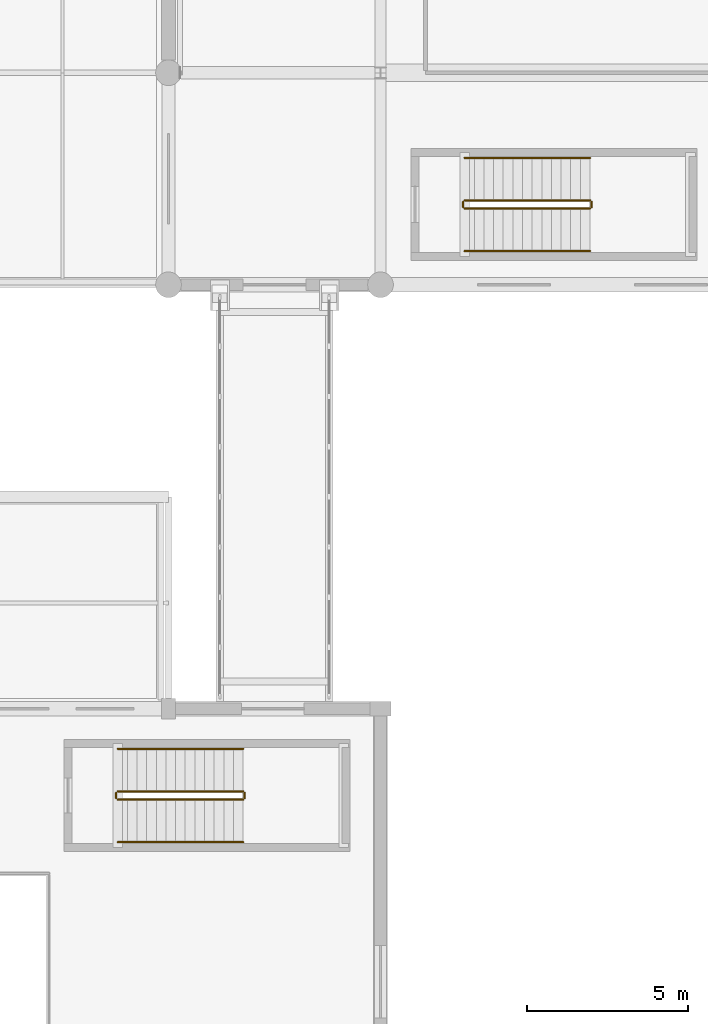
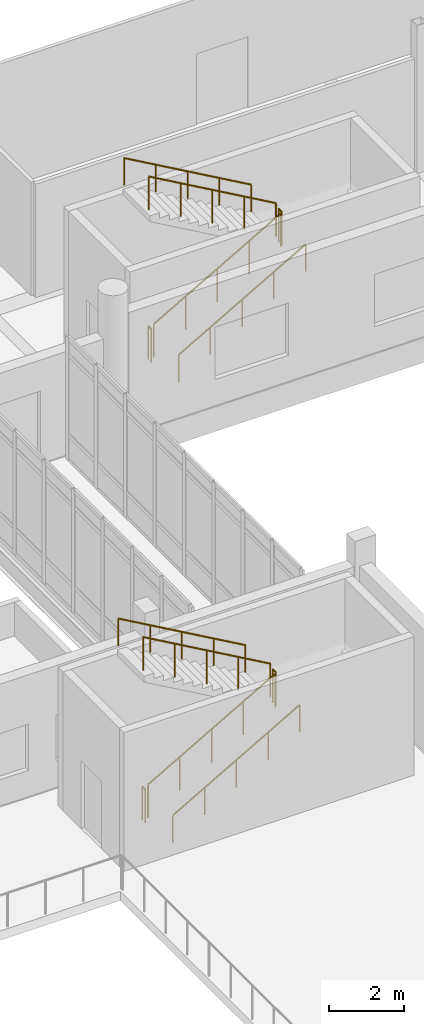
# One storey, part 104 of 125: 12 railings.
"""IFC4 building model written with IfcOpenShell, lengths in metres."""

from ifc_helpers import new_model, si_unit, direction, frame, origin, origin_2d, place, context, subcontext, project, spatial, circle, extrude, material, layer, layer_set, type_object, element, save


model = new_model("IFC4")

# Units and contexts
model_context = context("Model", 3, precision=1e-05, world=origin(), true_north=direction((0.0, 1.0)))
body_context = subcontext(model_context, "Body", "Model", "MODEL_VIEW")
ifc_project = project(units=[si_unit("LENGTHUNIT", "METRE"), si_unit("AREAUNIT", "SQUARE_METRE"), si_unit("VOLUMEUNIT", "CUBIC_METRE"), si_unit("PLANEANGLEUNIT", "RADIAN"), si_unit("MASSUNIT", "GRAM", prefix="KILO")], contexts=[model_context])

# Site, building, storey
site_placement = place(None, origin())
site = spatial("IfcSite", under=ifc_project, at=site_placement, CompositionType="ELEMENT")
building_placement = place(site_placement, origin())
building = spatial("IfcBuilding", under=site, at=building_placement, Name="Dornvale Research Institute", CompositionType="ELEMENT")
storey_placement = place(building_placement, frame((0.0, 0.0, 5.39990234375)))
storey = spatial("IfcBuildingStorey", under=building, at=storey_placement, Name="L01", CompositionType="ELEMENT", Elevation=5.39990234375)

# Railings
ifc_material_1 = material(Name="Galvanized Painted Tubular Steel Stair Rail", Category="steel")
ifc_layer_1 = layer(ifc_material_1, 0.050048828125)
ifc_layer_set_1 = layer_set([ifc_layer_1], Name="Galvanized Painted Tubular Steel Stair Rail")
railing_type_1 = type_object("IfcRailingType", Name="Railing_Stair_Guard_1100", PredefinedType="GUARDRAIL", material=ifc_layer_set_1)
railing_1_placement = place(storey_placement, frame((48.820068359375, 41.969970703125, 0.171630859375)))
element("IfcRailing", 1, at=railing_1_placement, inside=storey, type_object=railing_type_1, Name="L01 ST-7 stair guard 1", PredefinedType="GUARDRAIL", context=body_context, shape_type="SweptSolid", body=[
    extrude(circle(Radius=0.02392578125, at=origin_2d()), frame((0.0, 0.0, 1.076171875), z_axis=(0.868243142124, 0.0, 0.496138938357), x_axis=(0.0, 1.0, 0.0)), (0.0, 0.0, 1.0), 4.49169921875),
    extrude(circle(Radius=0.02099609375, at=origin_2d()), origin(), (0.0, 0.0, 1.0), 1.052001953125),
    extrude(circle(Radius=0.02099609375, at=origin_2d()), frame((0.97509765625, 0.0, 0.55712890625)), (0.0, 0.0, 1.0), 1.052001953125),
    extrude(circle(Radius=0.02099609375, at=origin_2d()), frame((1.949951171875, 0.0, 1.1142578125)), (0.0, 0.0, 1.0), 1.052001953125),
    extrude(circle(Radius=0.02099609375, at=origin_2d()), frame((2.9248046875, 0.0, 1.67138671875)), (0.0, 0.0, 1.0), 1.052001953125),
    extrude(circle(Radius=0.02099609375, at=origin_2d()), frame((3.89990234375, 0.0, 2.228515625)), (0.0, 0.0, 1.0), 1.052001953125),
])
railing_2_placement = place(storey_placement, frame((52.77001953125, 42.02001953125, 2.400146484375)))
element("IfcRailing", 2, at=railing_2_placement, inside=storey, type_object=railing_type_1, Name="L01 ST-7 stair guard 2", PredefinedType="GUARDRAIL", context=body_context, shape_type="SweptSolid", body=[
    extrude(circle(Radius=0.02392578125, at=origin_2d()), frame((0.0, 0.0, 1.076171875), z_axis=(0.0, 1.0, 0.0), x_axis=(-1.0, 0.0, 0.0)), (0.0, 0.0, 1.0), 0.159912109375),
    extrude(circle(Radius=0.02099609375, at=origin_2d()), origin(), (0.0, 0.0, 1.0), 1.052001953125),
    extrude(circle(Radius=0.02099609375, at=origin_2d()), frame((0.0, 0.159912109375, 0.0)), (0.0, 0.0, 1.0), 1.052001953125),
])
railing_3_placement = place(storey_placement, frame((52.719970703125, 42.22998046875, 2.571533203125)))
element("IfcRailing", 3, at=railing_3_placement, inside=storey, type_object=railing_type_1, Name="L01 ST-7 stair guard 3", PredefinedType="GUARDRAIL", context=body_context, shape_type="SweptSolid", body=[
    extrude(circle(Radius=0.02392578125, at=origin_2d()), frame((0.0, 0.0, 1.076171875), z_axis=(-0.868243142124, 0.0, 0.496138938357), x_axis=(0.0, -1.0, 0.0)), (0.0, 0.0, 1.0), 4.49169921875),
    extrude(circle(Radius=0.02099609375, at=origin_2d()), origin(), (0.0, 0.0, 1.0), 1.052001953125),
    extrude(circle(Radius=0.02099609375, at=origin_2d()), frame((-0.97509765625, 0.0, 0.55712890625)), (0.0, 0.0, 1.0), 1.052001953125),
    extrude(circle(Radius=0.02099609375, at=origin_2d()), frame((-1.949951171875, 0.0, 1.1142578125)), (0.0, 0.0, 1.0), 1.052001953125),
    extrude(circle(Radius=0.02099609375, at=origin_2d()), frame((-2.9248046875, 0.0, 1.67138671875)), (0.0, 0.0, 1.0), 1.052001953125),
    extrude(circle(Radius=0.02099609375, at=origin_2d()), frame((-3.89990234375, 0.0, 2.228515625)), (0.0, 0.0, 1.0), 1.052001953125),
])
railing_4_placement = place(storey_placement, frame((48.77001953125, 42.02001953125, 0.0)))
element("IfcRailing", 4, at=railing_4_placement, inside=storey, type_object=railing_type_1, Name="L01 ST-7 stair guard 4", PredefinedType="GUARDRAIL", context=body_context, shape_type="SweptSolid", body=[
    extrude(circle(Radius=0.02392578125, at=origin_2d()), frame((0.0, 0.0, 1.076171875), z_axis=(0.0, 1.0, 0.0), x_axis=(-1.0, 0.0, 0.0)), (0.0, 0.0, 1.0), 0.159912109375),
    extrude(circle(Radius=0.02099609375, at=origin_2d()), origin(), (0.0, 0.0, 1.0), 1.052001953125),
    extrude(circle(Radius=0.02099609375, at=origin_2d()), frame((0.0, 0.159912109375, 0.0)), (0.0, 0.0, 1.0), 1.052001953125),
])
railing_5_placement = place(storey_placement, frame((38.02001953125, 23.570068359375, 0.171630859375)))
element("IfcRailing", 5, at=railing_5_placement, inside=storey, type_object=railing_type_1, Name="L01 ST-10 stair guard 1", PredefinedType="GUARDRAIL", context=body_context, shape_type="SweptSolid", body=[
    extrude(circle(Radius=0.02392578125, at=origin_2d()), frame((0.0, 0.0, 1.076171875), z_axis=(0.868243142124, 0.0, 0.496138938357), x_axis=(0.0, 1.0, 0.0)), (0.0, 0.0, 1.0), 4.49169921875),
    extrude(circle(Radius=0.02099609375, at=origin_2d()), origin(), (0.0, 0.0, 1.0), 1.052001953125),
    extrude(circle(Radius=0.02099609375, at=origin_2d()), frame((0.97509765625, 0.0, 0.55712890625)), (0.0, 0.0, 1.0), 1.052001953125),
    extrude(circle(Radius=0.02099609375, at=origin_2d()), frame((1.949951171875, 0.0, 1.1142578125)), (0.0, 0.0, 1.0), 1.052001953125),
    extrude(circle(Radius=0.02099609375, at=origin_2d()), frame((2.9248046875, 0.0, 1.67138671875)), (0.0, 0.0, 1.0), 1.052001953125),
    extrude(circle(Radius=0.02099609375, at=origin_2d()), frame((3.89990234375, 0.0, 2.228515625)), (0.0, 0.0, 1.0), 1.052001953125),
])
railing_6_placement = place(storey_placement, frame((41.969970703125, 23.6201171875, 2.400146484375)))
element("IfcRailing", 6, at=railing_6_placement, inside=storey, type_object=railing_type_1, Name="L01 ST-10 stair guard 2", PredefinedType="GUARDRAIL", context=body_context, shape_type="SweptSolid", body=[
    extrude(circle(Radius=0.02392578125, at=origin_2d()), frame((0.0, 0.0, 1.076171875), z_axis=(0.0, 1.0, 0.0), x_axis=(-1.0, 0.0, 0.0)), (0.0, 0.0, 1.0), 0.159912109375),
    extrude(circle(Radius=0.02099609375, at=origin_2d()), origin(), (0.0, 0.0, 1.0), 1.052001953125),
    extrude(circle(Radius=0.02099609375, at=origin_2d()), frame((0.0, 0.159912109375, 0.0)), (0.0, 0.0, 1.0), 1.052001953125),
])
railing_7_placement = place(storey_placement, frame((41.919921875, 23.830078125, 2.571533203125)))
element("IfcRailing", 7, at=railing_7_placement, inside=storey, type_object=railing_type_1, Name="L01 ST-10 stair guard 3", PredefinedType="GUARDRAIL", context=body_context, shape_type="SweptSolid", body=[
    extrude(circle(Radius=0.02392578125, at=origin_2d()), frame((0.0, 0.0, 1.076171875), z_axis=(-0.868243142124, 0.0, 0.496138938357), x_axis=(0.0, -1.0, 0.0)), (0.0, 0.0, 1.0), 4.49169921875),
    extrude(circle(Radius=0.02099609375, at=origin_2d()), origin(), (0.0, 0.0, 1.0), 1.052001953125),
    extrude(circle(Radius=0.02099609375, at=origin_2d()), frame((-0.97509765625, 0.0, 0.55712890625)), (0.0, 0.0, 1.0), 1.052001953125),
    extrude(circle(Radius=0.02099609375, at=origin_2d()), frame((-1.949951171875, 0.0, 1.1142578125)), (0.0, 0.0, 1.0), 1.052001953125),
    extrude(circle(Radius=0.02099609375, at=origin_2d()), frame((-2.9248046875, 0.0, 1.67138671875)), (0.0, 0.0, 1.0), 1.052001953125),
    extrude(circle(Radius=0.02099609375, at=origin_2d()), frame((-3.89990234375, 0.0, 2.228515625)), (0.0, 0.0, 1.0), 1.052001953125),
])
railing_8_placement = place(storey_placement, frame((37.969970703125, 23.6201171875, 0.0)))
element("IfcRailing", 8, at=railing_8_placement, inside=storey, type_object=railing_type_1, Name="L01 ST-10 stair guard 4", PredefinedType="GUARDRAIL", context=body_context, shape_type="SweptSolid", body=[
    extrude(circle(Radius=0.02392578125, at=origin_2d()), frame((0.0, 0.0, 1.076171875), z_axis=(0.0, 1.0, 0.0), x_axis=(-1.0, 0.0, 0.0)), (0.0, 0.0, 1.0), 0.159912109375),
    extrude(circle(Radius=0.02099609375, at=origin_2d()), origin(), (0.0, 0.0, 1.0), 1.052001953125),
    extrude(circle(Radius=0.02099609375, at=origin_2d()), frame((0.0, 0.159912109375, 0.0)), (0.0, 0.0, 1.0), 1.052001953125),
])
ifc_material_2 = material(Name="Galvanized Painted Tubular Steel Stair Rail", Category="steel")
ifc_layer_2 = layer(ifc_material_2, 0.044921875)
ifc_layer_set_2 = layer_set([ifc_layer_2], Name="Galvanized Painted Tubular Steel Stair Rail")
railing_type_2 = type_object("IfcRailingType", Name="Railing_Stair_Handrail_900", PredefinedType="HANDRAIL", material=ifc_layer_set_2)
railing_9_placement = place(storey_placement, frame((48.820068359375, 40.64990234375, 0.171630859375)))
element("IfcRailing", 9, at=railing_9_placement, inside=storey, type_object=railing_type_2, Name="L01 ST-7 stair handrail 1", PredefinedType="HANDRAIL", context=body_context, shape_type="SweptSolid", body=[
    extrude(circle(Radius=0.02392578125, at=origin_2d()), frame((0.0, 0.0, 0.8759765625), z_axis=(0.868243142124, 0.0, 0.496138938357), x_axis=(0.0, 1.0, 0.0)), (0.0, 0.0, 1.0), 4.49169921875),
    extrude(circle(Radius=0.02099609375, at=origin_2d()), origin(), (0.0, 0.0, 1.0), 0.851806640625),
    extrude(circle(Radius=0.02099609375, at=origin_2d()), frame((0.97509765625, 0.0, 0.55712890625)), (0.0, 0.0, 1.0), 0.851806640625),
    extrude(circle(Radius=0.02099609375, at=origin_2d()), frame((1.949951171875, 0.0, 1.1142578125)), (0.0, 0.0, 1.0), 0.851806640625),
    extrude(circle(Radius=0.02099609375, at=origin_2d()), frame((2.9248046875, 0.0, 1.67138671875)), (0.0, 0.0, 1.0), 0.851806640625),
    extrude(circle(Radius=0.02099609375, at=origin_2d()), frame((3.89990234375, 0.0, 2.228515625)), (0.0, 0.0, 1.0), 0.851806640625),
])
railing_10_placement = place(storey_placement, frame((52.719970703125, 43.550048828125, 2.571533203125)))
element("IfcRailing", 10, at=railing_10_placement, inside=storey, type_object=railing_type_2, Name="L01 ST-7 stair handrail 2", PredefinedType="HANDRAIL", context=body_context, shape_type="SweptSolid", body=[
    extrude(circle(Radius=0.02392578125, at=origin_2d()), frame((0.0, 0.0, 0.8759765625), z_axis=(-0.868243142124, 0.0, 0.496138938357), x_axis=(0.0, -1.0, 0.0)), (0.0, 0.0, 1.0), 4.49169921875),
    extrude(circle(Radius=0.02099609375, at=origin_2d()), origin(), (0.0, 0.0, 1.0), 0.851806640625),
    extrude(circle(Radius=0.02099609375, at=origin_2d()), frame((-0.97509765625, 0.0, 0.55712890625)), (0.0, 0.0, 1.0), 0.851806640625),
    extrude(circle(Radius=0.02099609375, at=origin_2d()), frame((-1.949951171875, 0.0, 1.1142578125)), (0.0, 0.0, 1.0), 0.851806640625),
    extrude(circle(Radius=0.02099609375, at=origin_2d()), frame((-2.9248046875, 0.0, 1.67138671875)), (0.0, 0.0, 1.0), 0.851806640625),
    extrude(circle(Radius=0.02099609375, at=origin_2d()), frame((-3.89990234375, 0.0, 2.228515625)), (0.0, 0.0, 1.0), 0.851806640625),
])
railing_11_placement = place(storey_placement, frame((38.02001953125, 22.25, 0.171630859375)))
element("IfcRailing", 11, at=railing_11_placement, inside=storey, type_object=railing_type_2, Name="L01 ST-10 stair handrail 1", PredefinedType="HANDRAIL", context=body_context, shape_type="SweptSolid", body=[
    extrude(circle(Radius=0.02392578125, at=origin_2d()), frame((0.0, 0.0, 0.8759765625), z_axis=(0.868243142124, 0.0, 0.496138938357), x_axis=(0.0, 1.0, 0.0)), (0.0, 0.0, 1.0), 4.49169921875),
    extrude(circle(Radius=0.02099609375, at=origin_2d()), origin(), (0.0, 0.0, 1.0), 0.851806640625),
    extrude(circle(Radius=0.02099609375, at=origin_2d()), frame((0.97509765625, 0.0, 0.55712890625)), (0.0, 0.0, 1.0), 0.851806640625),
    extrude(circle(Radius=0.02099609375, at=origin_2d()), frame((1.949951171875, 0.0, 1.1142578125)), (0.0, 0.0, 1.0), 0.851806640625),
    extrude(circle(Radius=0.02099609375, at=origin_2d()), frame((2.9248046875, 0.0, 1.67138671875)), (0.0, 0.0, 1.0), 0.851806640625),
    extrude(circle(Radius=0.02099609375, at=origin_2d()), frame((3.89990234375, 0.0, 2.228515625)), (0.0, 0.0, 1.0), 0.851806640625),
])
railing_12_placement = place(storey_placement, frame((41.919921875, 25.14990234375, 2.571533203125)))
element("IfcRailing", 12, at=railing_12_placement, inside=storey, type_object=railing_type_2, Name="L01 ST-10 stair handrail 2", PredefinedType="HANDRAIL", context=body_context, shape_type="SweptSolid", body=[
    extrude(circle(Radius=0.02392578125, at=origin_2d()), frame((0.0, 0.0, 0.8759765625), z_axis=(-0.868243142124, 0.0, 0.496138938357), x_axis=(0.0, -1.0, 0.0)), (0.0, 0.0, 1.0), 4.49169921875),
    extrude(circle(Radius=0.02099609375, at=origin_2d()), origin(), (0.0, 0.0, 1.0), 0.851806640625),
    extrude(circle(Radius=0.02099609375, at=origin_2d()), frame((-0.97509765625, 0.0, 0.55712890625)), (0.0, 0.0, 1.0), 0.851806640625),
    extrude(circle(Radius=0.02099609375, at=origin_2d()), frame((-1.949951171875, 0.0, 1.1142578125)), (0.0, 0.0, 1.0), 0.851806640625),
    extrude(circle(Radius=0.02099609375, at=origin_2d()), frame((-2.9248046875, 0.0, 1.67138671875)), (0.0, 0.0, 1.0), 0.851806640625),
    extrude(circle(Radius=0.02099609375, at=origin_2d()), frame((-3.89990234375, 0.0, 2.228515625)), (0.0, 0.0, 1.0), 0.851806640625),
])

save(model, "model.ifc")
